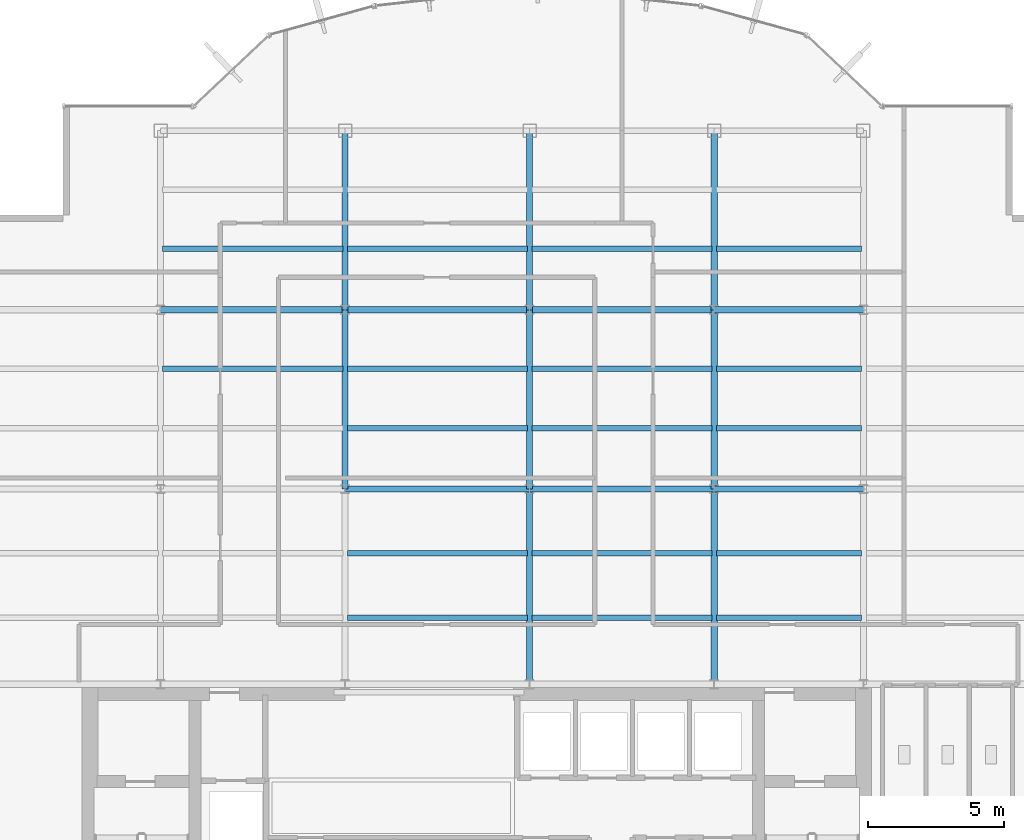
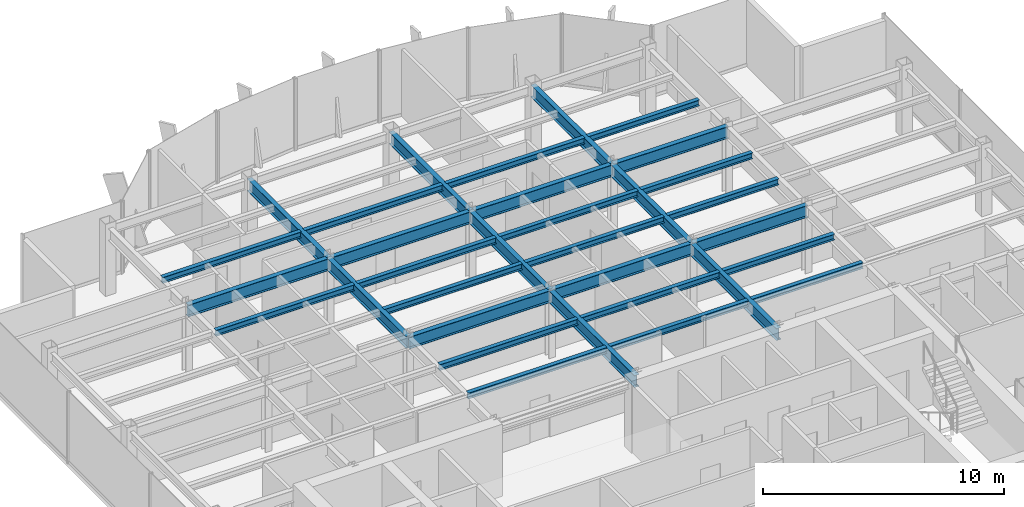
# One storey, part 8 of 22: 32 beams.
"""IFC4 building model written with IfcOpenShell, lengths in metres."""

from ifc_helpers import new_model, si_unit, derived_unit, direction, frame, origin, origin_2d, place, context, subcontext, project, spatial, i_section, extrude, source, transform, mapped, material, material_profile, profile_set, type_object, element, save


model = new_model("IFC4")

# Units and contexts
model_context = context("Model", 3, precision=1e-05, world=origin(), true_north=direction((0.0, 1.0)))
body_context = subcontext(model_context, "Body", "Model", "MODEL_VIEW")
ifc_project = project(units=[si_unit("LENGTHUNIT", "METRE"), si_unit("AREAUNIT", "SQUARE_METRE"), si_unit("VOLUMEUNIT", "CUBIC_METRE"), si_unit("PLANEANGLEUNIT", "RADIAN"), si_unit("MASSUNIT", "GRAM", prefix="KILO"), derived_unit("THERMALTRANSMITTANCEUNIT", [(si_unit("POWERUNIT", "WATT"), 1), (si_unit("LENGTHUNIT", "METRE"), -2), (si_unit("THERMODYNAMICTEMPERATUREUNIT", "KELVIN"), -1)])], contexts=[model_context])

# Site, building, storey
site_placement = place(None, origin())
site = spatial("IfcSite", under=ifc_project, at=site_placement, CompositionType="ELEMENT")
building_placement = place(site_placement, origin())
building = spatial("IfcBuilding", under=site, at=building_placement, Name="Skarnbrae Concourse Arena and Tower", CompositionType="ELEMENT")
storey_placement = place(building_placement, frame((0.0, 0.0, 277.050048828125)))
storey = spatial("IfcBuildingStorey", under=building, at=storey_placement, Name="L72", CompositionType="ELEMENT", Elevation=277.050048828125)

# Beams
ifc_material = material(Name="Steel CSA G40.21 350W", Category="steel")
ifc_material_profile_1 = material_profile(ifc_material, i_section(OverallWidth=0.22802734375, OverallDepth=0.60791015625, WebThickness=0.01123046875, FlangeThickness=0.017333984375, at=origin_2d()), Name="W610X113")
ifc_profile_set_1 = profile_set([ifc_material_profile_1], Name="Steel CSA G40.21 350W")
beam_type_1 = type_object("IfcBeamType", Name="BM-GIRD-W610X113", PredefinedType="BEAM", material=ifc_profile_set_1)
shared_shape_1 = source(origin(), body_context, "Body", "SweptSolid", [
    extrude(i_section(OverallWidth=0.22802734375, OverallDepth=0.60791015625, WebThickness=0.01123046875, FlangeThickness=0.017333984375, at=origin_2d()), origin(), (0.0, 0.0, 1.0), 6.60009765625),
])
for number, where, z_axis, x_axis, name in (
    (1, (14.39990234375, 21.199951171875, 3.095947265625), (0.0, 1.0, 0.0), (-1.0, 0.0, 0.0), "L72 Primary N-S girder X14.4-2"),
    (2, (21.199951171875, 21.199951171875, 3.095947265625), (0.0, 1.0, 0.0), (-1.0, 0.0, 0.0), "L72 Primary N-S girder X21.2-2"),
    (3, (28.0, 21.199951171875, 3.095947265625), (0.0, 1.0, 0.0), (-1.0, 0.0, 0.0), "L72 Primary N-S girder X28.0-2"),
):
    element("IfcBeam", number, at=place(storey_placement, frame(where, z_axis=z_axis, x_axis=x_axis)), inside=storey, type_object=beam_type_1, Name=name, PredefinedType="BEAM", context=body_context, shape_type="MappedRepresentation", body=[
        mapped(shared_shape_1, transform((0.0, 0.0, 0.0))),
    ])
shared_shape_2 = source(origin(), body_context, "Body", "SweptSolid", [
    extrude(i_section(OverallWidth=0.22802734375, OverallDepth=0.60791015625, WebThickness=0.01123046875, FlangeThickness=0.017333984375, at=origin_2d()), origin(), (0.0, 0.0, 1.0), 6.7998046875),
])
beam_placement = place(storey_placement, frame((7.60009765625, 27.800048828125, 3.095947265625), z_axis=(1.0, 0.0, 0.0), x_axis=(0.0, 1.0, 0.0)))
element("IfcBeam", 4, at=beam_placement, inside=storey, type_object=beam_type_1, Name="L72 Primary E-W girder Y27.8-2", PredefinedType="BEAM", context=body_context, shape_type="MappedRepresentation", body=[
    mapped(shared_shape_2, transform((0.0, 0.0, 0.0))),
])
shared_shape_3 = source(origin(), body_context, "Body", "SweptSolid", [
    extrude(i_section(OverallWidth=0.22802734375, OverallDepth=0.60791015625, WebThickness=0.01123046875, FlangeThickness=0.017333984375, at=origin_2d()), origin(), (0.0, 0.0, 1.0), 6.800048828125),
])
for number, where, z_axis, x_axis, name in (
    (5, (14.39990234375, 21.199951171875, 3.095947265625), (1.0, 0.0, 0.0), (0.0, 1.0, 0.0), "L72 Primary E-W girder Y21.2-3"),
    (6, (21.199951171875, 21.199951171875, 3.095947265625), (1.0, 0.0, 0.0), (0.0, 1.0, 0.0), "L72 Primary E-W girder Y21.2-4"),
    (7, (14.39990234375, 27.800048828125, 3.095947265625), (1.0, 0.0, 0.0), (0.0, 1.0, 0.0), "L72 Primary E-W girder Y27.8-3"),
    (8, (21.199951171875, 27.800048828125, 3.095947265625), (1.0, 0.0, 0.0), (0.0, 1.0, 0.0), "L72 Primary E-W girder Y27.8-4"),
):
    element("IfcBeam", number, at=place(storey_placement, frame(where, z_axis=z_axis, x_axis=x_axis)), inside=storey, type_object=beam_type_1, Name=name, PredefinedType="BEAM", context=body_context, shape_type="MappedRepresentation", body=[
        mapped(shared_shape_3, transform((0.0, 0.0, 0.0))),
    ])
shared_shape_4 = source(origin(), body_context, "Body", "SweptSolid", [
    extrude(i_section(OverallWidth=0.22802734375, OverallDepth=0.60791015625, WebThickness=0.01123046875, FlangeThickness=0.017333984375, at=origin_2d()), origin(), (0.0, 0.0, 1.0), 5.5),
])
for number, where, z_axis, x_axis, name in (
    (9, (28.0, 21.199951171875, 3.095947265625), (1.0, 0.0, 0.0), (0.0, 1.0, 0.0), "L72 Primary E-W girder Y21.2-5"),
    (10, (28.0, 27.800048828125, 3.095947265625), (1.0, 0.0, 0.0), (0.0, 1.0, 0.0), "L72 Primary E-W girder Y27.8-5"),
):
    element("IfcBeam", number, at=place(storey_placement, frame(where, z_axis=z_axis, x_axis=x_axis)), inside=storey, type_object=beam_type_1, Name=name, PredefinedType="BEAM", context=body_context, shape_type="MappedRepresentation", body=[
        mapped(shared_shape_4, transform((0.0, 0.0, 0.0))),
    ])
shared_shape_5 = source(origin(), body_context, "Body", "SweptSolid", [
    extrude(i_section(OverallWidth=0.22802734375, OverallDepth=0.60791015625, WebThickness=0.01123046875, FlangeThickness=0.017333984375, at=origin_2d()), origin(), (0.0, 0.0, 1.0), 7.199951171875),
])
for number, where, z_axis, x_axis, name in (
    (11, (21.199951171875, 14.0, 3.095947265625), (0.0, 1.0, 0.0), (-1.0, 0.0, 0.0), "L72 Primary N-S girder X21.2-1"),
    (12, (28.0, 14.0, 3.095947265625), (0.0, 1.0, 0.0), (-1.0, 0.0, 0.0), "L72 Primary N-S girder X28.0-1"),
):
    element("IfcBeam", number, at=place(storey_placement, frame(where, z_axis=z_axis, x_axis=x_axis)), inside=storey, type_object=beam_type_1, Name=name, PredefinedType="BEAM", context=body_context, shape_type="MappedRepresentation", body=[
        mapped(shared_shape_5, transform((0.0, 0.0, 0.0))),
    ])
shared_shape_6 = source(origin(), body_context, "Body", "SweptSolid", [
    extrude(i_section(OverallWidth=0.22802734375, OverallDepth=0.60791015625, WebThickness=0.01123046875, FlangeThickness=0.017333984375, at=origin_2d()), origin(), (0.0, 0.0, 1.0), 6.599853515625),
])
for number, where, z_axis, x_axis, name in (
    (13, (14.39990234375, 27.800048828125, 3.095947265625), (0.0, 1.0, 0.0), (-1.0, 0.0, 0.0), "L72 Primary N-S girder X14.4-3"),
    (14, (21.199951171875, 27.800048828125, 3.095947265625), (0.0, 1.0, 0.0), (-1.0, 0.0, 0.0), "L72 Primary N-S girder X21.2-3"),
    (15, (28.0, 27.800048828125, 3.095947265625), (0.0, 1.0, 0.0), (-1.0, 0.0, 0.0), "L72 Primary N-S girder X28.0-3"),
):
    element("IfcBeam", number, at=place(storey_placement, frame(where, z_axis=z_axis, x_axis=x_axis)), inside=storey, type_object=beam_type_1, Name=name, PredefinedType="BEAM", context=body_context, shape_type="MappedRepresentation", body=[
        mapped(shared_shape_6, transform((0.0, 0.0, 0.0))),
    ])
ifc_material_profile_2 = material_profile(ifc_material, i_section(OverallWidth=0.202880859375, OverallDepth=0.302978515625, WebThickness=0.007568359375, FlangeThickness=0.01318359375, at=origin_2d()), Name="W310X60")
ifc_profile_set_2 = profile_set([ifc_material_profile_2], Name="Steel CSA G40.21 350W")
beam_type_2 = type_object("IfcBeamType", Name="BM-JOIST-W310X60", PredefinedType="JOIST", material=ifc_profile_set_2)
shared_shape_7 = source(origin(), body_context, "Body", "SweptSolid", [
    extrude(i_section(OverallWidth=0.202880859375, OverallDepth=0.302978515625, WebThickness=0.007568359375, FlangeThickness=0.01318359375, at=origin_2d()), origin(), (0.0, 0.0, 1.0), 6.64013671875),
])
for number, where, z_axis, x_axis, name in (
    (16, (14.47998046875, 16.447998046875, 3.24853515625), (1.0, 0.0, 0.0), (0.0, 1.0, 0.0), "L72 Secondary floor joist 1.1.3"),
    (17, (14.47998046875, 18.823974609375, 3.24853515625), (1.0, 0.0, 0.0), (0.0, 1.0, 0.0), "L72 Secondary floor joist 1.2.3"),
    (18, (14.47998046875, 23.444091796875, 3.24853515625), (1.0, 0.0, 0.0), (0.0, 1.0, 0.0), "L72 Secondary floor joist 2.1.3"),
    (19, (7.679931640625, 25.6220703125, 3.24853515625), (1.0, 0.0, 0.0), (0.0, 1.0, 0.0), "L72 Secondary floor joist 2.2.2"),
    (20, (14.47998046875, 25.6220703125, 3.24853515625), (1.0, 0.0, 0.0), (0.0, 1.0, 0.0), "L72 Secondary floor joist 2.2.3"),
    (21, (7.679931640625, 30.0439453125, 3.24853515625), (1.0, 0.0, 0.0), (0.0, 1.0, 0.0), "L72 Secondary floor joist 3.1.1"),
    (22, (14.47998046875, 30.0439453125, 3.24853515625), (1.0, 0.0, 0.0), (0.0, 1.0, 0.0), "L72 Secondary floor joist 3.1.2"),
):
    element("IfcBeam", number, at=place(storey_placement, frame(where, z_axis=z_axis, x_axis=x_axis)), inside=storey, type_object=beam_type_2, Name=name, PredefinedType="JOIST", context=body_context, shape_type="MappedRepresentation", body=[
        mapped(shared_shape_7, transform((0.0, 0.0, 0.0))),
    ])
shared_shape_8 = source(origin(), body_context, "Body", "SweptSolid", [
    extrude(i_section(OverallWidth=0.202880859375, OverallDepth=0.302978515625, WebThickness=0.007568359375, FlangeThickness=0.01318359375, at=origin_2d()), origin(), (0.0, 0.0, 1.0), 6.639892578125),
])
for number, where, z_axis, x_axis, name in (
    (23, (21.280029296875, 16.447998046875, 3.24853515625), (1.0, 0.0, 0.0), (0.0, 1.0, 0.0), "L72 Secondary floor joist 1.1.4"),
    (24, (21.280029296875, 18.823974609375, 3.24853515625), (1.0, 0.0, 0.0), (0.0, 1.0, 0.0), "L72 Secondary floor joist 1.2.4"),
    (25, (21.280029296875, 23.444091796875, 3.24853515625), (1.0, 0.0, 0.0), (0.0, 1.0, 0.0), "L72 Secondary floor joist 2.1.4"),
    (26, (21.280029296875, 25.6220703125, 3.24853515625), (1.0, 0.0, 0.0), (0.0, 1.0, 0.0), "L72 Secondary floor joist 2.2.4"),
    (27, (21.280029296875, 30.0439453125, 3.24853515625), (1.0, 0.0, 0.0), (0.0, 1.0, 0.0), "L72 Secondary floor joist 3.1.3"),
):
    element("IfcBeam", number, at=place(storey_placement, frame(where, z_axis=z_axis, x_axis=x_axis)), inside=storey, type_object=beam_type_2, Name=name, PredefinedType="JOIST", context=body_context, shape_type="MappedRepresentation", body=[
        mapped(shared_shape_8, transform((0.0, 0.0, 0.0))),
    ])
shared_shape_9 = source(origin(), body_context, "Body", "SweptSolid", [
    extrude(i_section(OverallWidth=0.202880859375, OverallDepth=0.302978515625, WebThickness=0.007568359375, FlangeThickness=0.01318359375, at=origin_2d()), origin(), (0.0, 0.0, 1.0), 5.33984375),
])
for number, where, z_axis, x_axis, name in (
    (28, (28.080078125, 16.447998046875, 3.24853515625), (1.0, 0.0, 0.0), (0.0, 1.0, 0.0), "L72 Secondary floor joist 1.1.5"),
    (29, (28.080078125, 18.823974609375, 3.24853515625), (1.0, 0.0, 0.0), (0.0, 1.0, 0.0), "L72 Secondary floor joist 1.2.5"),
    (30, (28.080078125, 23.444091796875, 3.24853515625), (1.0, 0.0, 0.0), (0.0, 1.0, 0.0), "L72 Secondary floor joist 2.1.5"),
    (31, (28.080078125, 25.6220703125, 3.24853515625), (1.0, 0.0, 0.0), (0.0, 1.0, 0.0), "L72 Secondary floor joist 2.2.5"),
    (32, (28.080078125, 30.0439453125, 3.24853515625), (1.0, 0.0, 0.0), (0.0, 1.0, 0.0), "L72 Secondary floor joist 3.1.4"),
):
    element("IfcBeam", number, at=place(storey_placement, frame(where, z_axis=z_axis, x_axis=x_axis)), inside=storey, type_object=beam_type_2, Name=name, PredefinedType="JOIST", context=body_context, shape_type="MappedRepresentation", body=[
        mapped(shared_shape_9, transform((0.0, 0.0, 0.0))),
    ])

save(model, "model.ifc")
